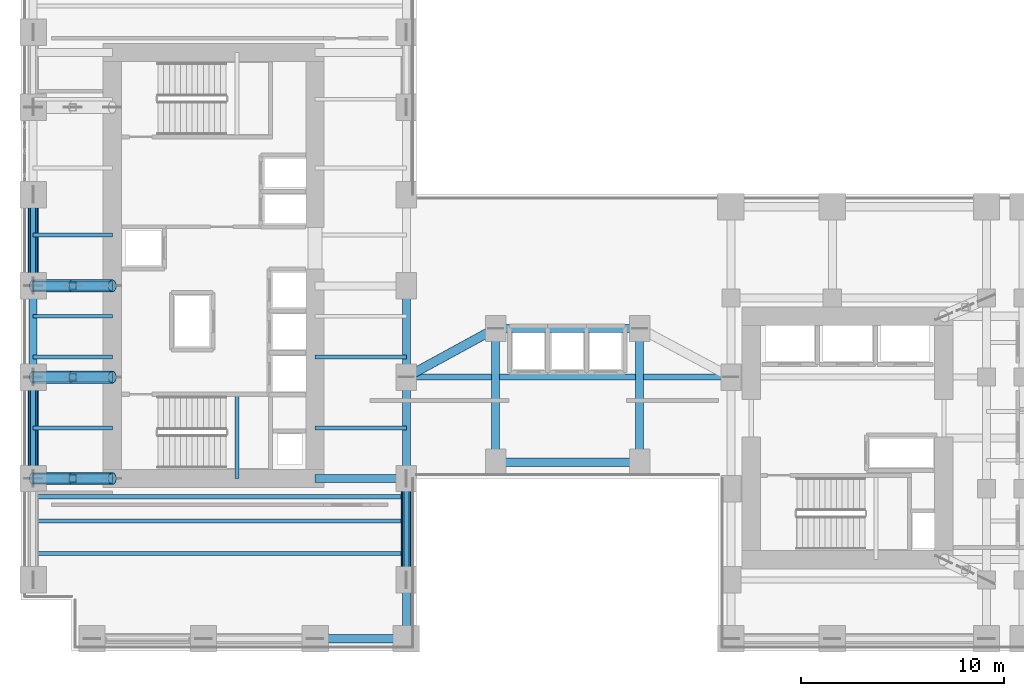
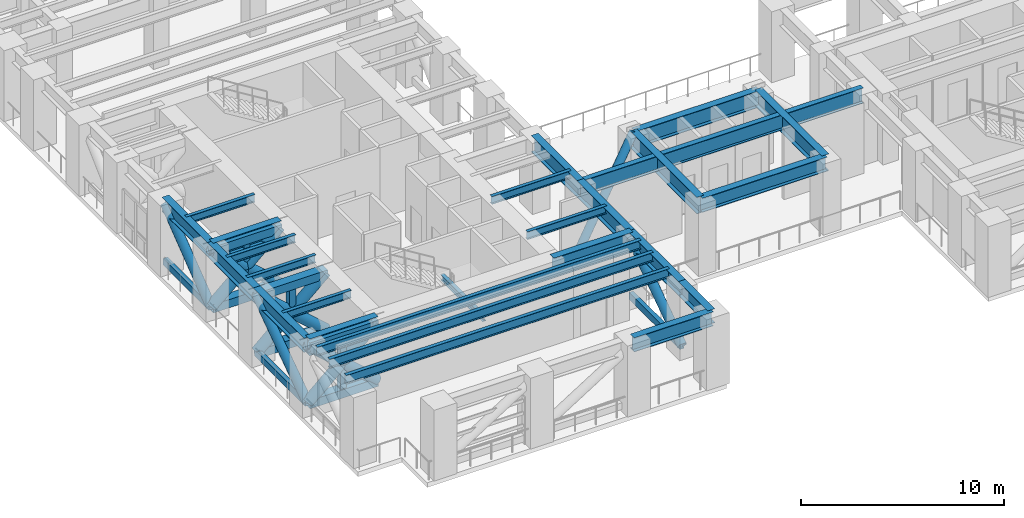
# One storey, part 3 of 16: 26 beams, 25 members.
"""IFC4 building model written with IfcOpenShell, lengths in metres."""

import ifcopenshell
import ifcopenshell.guid

model = None  # the IFC model being written
_history = None  # IfcOwnerHistory: only IFC2X3 demands one
_inside = {}  # id of a spatial element -> (the spatial element, [elements in it])
_under = {}  # id of a project, library or spatial element -> (it, [spatial elements below it])
_declared = {}  # id of a project -> (the project, [libraries it declares])
_typed = {}  # id of a type object -> (the type object, [elements of that type])
_made_of = {}  # id of a material, layer set ... -> (it, [elements and type objects made of it])


def new_model(schema):
    """Start an empty IFC model of exactly this schema.

    Asked for "IFC4X3", IfcOpenShell would pick the latest addendum, in which some entities
    have other attributes; the version numbers below select the first issue.
    IFC2X3 requires an IfcOwnerHistory on every rooted entity: one is made here for all.
    """
    global model, _history
    if schema == "IFC4X3":
        model = ifcopenshell.file(schema_version=(4, 3, 0, 0))
    else:
        model = ifcopenshell.file(schema=schema)
    _inside.clear()
    _under.clear()
    _declared.clear()
    _typed.clear()
    _made_of.clear()
    _history = None
    if model.schema == "IFC2X3":
        org = make("IfcOrganization", Name="unknown")
        user = make(
            "IfcPersonAndOrganization",
            ThePerson=make("IfcPerson", FamilyName="unknown"),
            TheOrganization=org,
        )
        app = make(
            "IfcApplication",
            ApplicationDeveloper=org,
            Version="unknown",
            ApplicationFullName="unknown",
            ApplicationIdentifier="unknown",
        )
        _history = make(
            "IfcOwnerHistory",
            OwningUser=user,
            OwningApplication=app,
            ChangeAction="ADDED",
            CreationDate=0,
        )
    return model


def make(cls, **values):
    """One entity of the class cls with the attributes given. An attribute that is None is left unset."""
    return model.create_entity(
        cls, **{name: value for name, value in values.items() if value is not None}
    )


def rooted(cls, **values):
    """An entity with a GlobalId (a new one), such as an element, a storey or a relation."""
    return make(cls, GlobalId=ifcopenshell.guid.new(), OwnerHistory=_history, **values)


def si_unit(unit_type, name, prefix=None):
    """IfcSIUnit, for example si_unit("LENGTHUNIT", "METRE", prefix="MILLI")."""
    return make("IfcSIUnit", UnitType=unit_type, Prefix=prefix, Name=name)


def assignment(units):
    """IfcUnitAssignment: the units of a project."""
    return None if units is None else make("IfcUnitAssignment", Units=units)


def point(xyz):
    """IfcCartesianPoint."""
    return None if xyz is None else make("IfcCartesianPoint", Coordinates=xyz)


def direction(xyz):
    """IfcDirection."""
    return None if xyz is None else make("IfcDirection", DirectionRatios=xyz)


def frame(location, z_axis=None, x_axis=None):
    """IfcAxis2Placement3D, a coordinate frame: its origin and axes. An axis left out is left unset."""
    return make(
        "IfcAxis2Placement3D",
        Location=point(location),
        Axis=direction(z_axis),
        RefDirection=direction(x_axis),
    )


def frame_2d(location, x_axis=None):
    """IfcAxis2Placement2D, a coordinate frame in the plane: its origin and x axis."""
    return make(
        "IfcAxis2Placement2D", Location=point(location), RefDirection=direction(x_axis)
    )


def origin():
    """The frame at (0, 0, 0) with its axes left unset."""
    return frame((0.0, 0.0, 0.0))


def origin_2d():
    """The frame at (0, 0) in the plane with its x axis left unset."""
    return frame_2d((0.0, 0.0))


def place(relative_to, where):
    """IfcLocalPlacement: puts the frame where relative to a parent placement (None: the world)."""
    return make(
        "IfcLocalPlacement", PlacementRelTo=relative_to, RelativePlacement=where
    )


def context(
    kind, dimensions, precision=None, world=None, true_north=None, identifier=None
):
    """IfcGeometricRepresentationContext, for example the 3D "Model" context."""
    return make(
        "IfcGeometricRepresentationContext",
        ContextIdentifier=identifier,
        ContextType=kind,
        CoordinateSpaceDimension=dimensions,
        Precision=precision,
        WorldCoordinateSystem=world,
        TrueNorth=true_north,
    )


def subcontext(parent, identifier, kind, view, scale=None):
    """IfcGeometricRepresentationSubContext, for example "Body" below "Model"."""
    return make(
        "IfcGeometricRepresentationSubContext",
        ContextIdentifier=identifier,
        ContextType=kind,
        ParentContext=parent,
        TargetScale=scale,
        TargetView=view,
    )


def project(units=None, contexts=None):
    """IfcProject with its units and contexts."""
    return rooted(
        "IfcProject",
        Name="project",
        RepresentationContexts=contexts,
        UnitsInContext=assignment(units),
    )


def spatial(cls, under=None, at=None, **own):
    """A site, building, storey or space (cls), placed at a placement, below another one or the project."""
    s = rooted(cls, ObjectPlacement=at, **own)
    if under is not None:
        _under.setdefault(under.id(), (under, []))[1].append(s)
    return s


def profile(cls, at=None, kind="AREA", **sizes):
    """A parametric profile (cls). Its sizes go by their IFC names, for example OverallWidth=200.0."""
    return make(cls, ProfileType=kind, Position=at, **sizes)


def hollow_rectangle(**sizes):
    """IfcRectangleHollowProfileDef."""
    return profile("IfcRectangleHollowProfileDef", **sizes)


def hollow_circle(**sizes):
    """IfcCircleHollowProfileDef."""
    return profile("IfcCircleHollowProfileDef", **sizes)


def i_section(**sizes):
    """IfcIShapeProfileDef."""
    return profile("IfcIShapeProfileDef", **sizes)


def extrude(swept, where, along, depth):
    """IfcExtrudedAreaSolid: the profile swept, set in the frame where, extruded along a direction by depth."""
    return make(
        "IfcExtrudedAreaSolid",
        SweptArea=swept,
        Position=where,
        ExtrudedDirection=direction(along),
        Depth=depth,
    )


def shape(context_of_items, identifier, shape_type, items):
    """IfcShapeRepresentation: the items that make up one representation, for example the "Body"."""
    return make(
        "IfcShapeRepresentation",
        ContextOfItems=context_of_items,
        RepresentationIdentifier=identifier,
        RepresentationType=shape_type,
        Items=items,
    )


def source(mapping_origin, context_of_items, identifier, shape_type, items):
    """IfcRepresentationMap: a shape defined once, which mapped items show again and again."""
    return make(
        "IfcRepresentationMap",
        MappingOrigin=mapping_origin,
        MappedRepresentation=shape(context_of_items, identifier, shape_type, items),
    )


def transform(
    local_origin,
    x_axis=None,
    y_axis=None,
    z_axis=None,
    scale=None,
    scale2=None,
    scale3=None,
    uniform=True,
):
    """IfcCartesianTransformationOperator3D, or its non-uniform kind. x_axis, y_axis, z_axis: its Axis1, 2, 3."""
    if uniform:
        return make(
            "IfcCartesianTransformationOperator3D",
            Axis1=direction(x_axis),
            Axis2=direction(y_axis),
            LocalOrigin=point(local_origin),
            Scale=scale,
            Axis3=direction(z_axis),
        )
    return make(
        "IfcCartesianTransformationOperator3DnonUniform",
        Axis1=direction(x_axis),
        Axis2=direction(y_axis),
        LocalOrigin=point(local_origin),
        Scale=scale,
        Axis3=direction(z_axis),
        Scale2=scale2,
        Scale3=scale3,
    )


def mapped(mapping_source, mapping_target):
    """IfcMappedItem: shows the shape of a source again, moved by a transform."""
    return make(
        "IfcMappedItem", MappingSource=mapping_source, MappingTarget=mapping_target
    )


def material(Name=None, Category=None):
    """IfcMaterial."""
    return make("IfcMaterial", Name=Name, Category=Category)


def material_profile(
    of_material, cross_section, Name=None, Category=None, Priority=None
):
    """IfcMaterialProfile: a cross section and its material."""
    return make(
        "IfcMaterialProfile",
        Name=Name,
        Material=of_material,
        Profile=cross_section,
        Priority=Priority,
        Category=Category,
    )


def profile_set(profiles, Name=None, composite=None):
    """IfcMaterialProfileSet."""
    return make(
        "IfcMaterialProfileSet",
        Name=Name,
        MaterialProfiles=profiles,
        CompositeProfile=composite,
    )


def made_of(thing, what):
    """Note that an element or type object is made of a material, layer set ...; save() writes the relation."""
    if what is not None:
        _made_of.setdefault(what.id(), (what, []))[1].append(thing)
    return thing


def type_object(cls, material=None, **own):
    """A type object (cls), such as IfcWallType, which elements share."""
    return made_of(rooted(cls, **own), material)


def element(
    cls,
    number,
    at=None,
    inside=None,
    cuts=None,
    type_object=None,
    material=None,
    context=None,
    identifier="Body",
    shape_type=None,
    held_by="IfcProductDefinitionShape",
    body=None,
    shapes=None,
    **own,
):
    """One element of the class cls, such as IfcWall. Its Tag is "e" and its number.

    at: its placement. inside: the storey or other place that contains it. cuts: it is an
    opening in that element (IfcRelVoidsElement). A single representation is given by context,
    identifier, shape_type and body (its items); several are given by shapes. held_by: the class
    of the entity that holds the representations. save() writes the other relations.
    """
    e = rooted(cls, Tag="e%d" % number, ObjectPlacement=at, **own)
    if body is not None:
        shapes = [shape(context, identifier, shape_type, body)]
    if shapes is not None:
        e.Representation = make(held_by, Representations=shapes)
    if inside is not None:
        _inside.setdefault(inside.id(), (inside, []))[1].append(e)
    if cuts is not None:
        rooted(
            "IfcRelVoidsElement", RelatingBuildingElement=cuts, RelatedOpeningElement=e
        )
    if type_object is not None:
        _typed.setdefault(type_object.id(), (type_object, []))[1].append(e)
    return made_of(e, material)


def aggregate(whole, parts):
    """IfcRelAggregates: a whole, such as a stair, and the parts it consists of."""
    return rooted("IfcRelAggregates", RelatingObject=whole, RelatedObjects=parts)


def save(model, path):
    """Write the relations noted so far, then the file.

    IfcRelAggregates (storeys below a building ...), IfcRelContainedInSpatialStructure (elements
    in a storey), IfcRelDefinesByType, IfcRelAssociatesMaterial and IfcRelDeclares: one each for
    every whole, place, type object, material and project.
    """
    for whole, parts in _under.values():
        aggregate(whole, parts)
    for where, things in _inside.values():
        rooted(
            "IfcRelContainedInSpatialStructure",
            RelatedElements=things,
            RelatingStructure=where,
        )
    for kind, things in _typed.values():
        rooted("IfcRelDefinesByType", RelatedObjects=things, RelatingType=kind)
    for what, things in _made_of.values():
        rooted("IfcRelAssociatesMaterial", RelatedObjects=things, RelatingMaterial=what)
    for by, libraries in _declared.values():
        rooted("IfcRelDeclares", RelatingContext=by, RelatedDefinitions=libraries)
    model.write(path)


model = new_model("IFC4")

# Units and contexts
model_context = context("Model", 3, precision=1e-05, world=origin(), true_north=direction((0.0, 1.0)))
body_context = subcontext(model_context, "Body", "Model", "MODEL_VIEW")
ifc_project = project(units=[si_unit("LENGTHUNIT", "METRE"), si_unit("AREAUNIT", "SQUARE_METRE"), si_unit("VOLUMEUNIT", "CUBIC_METRE"), si_unit("PLANEANGLEUNIT", "RADIAN"), si_unit("MASSUNIT", "GRAM", prefix="KILO")], contexts=[model_context])

# Site, building, storey
site_placement = place(None, origin())
site = spatial("IfcSite", under=ifc_project, at=site_placement, CompositionType="ELEMENT")
building_placement = place(site_placement, origin())
building = spatial("IfcBuilding", under=site, at=building_placement, Name="Kharzan Plaza Tower", CompositionType="ELEMENT")
storey_placement = place(building_placement, frame((0.0, 0.0, 72.89990234375)))
storey = spatial("IfcBuildingStorey", under=building, at=storey_placement, Name="L19", CompositionType="ELEMENT", Elevation=72.89990234375)

# Beams
ifc_material = material(Name="Steel S355", Category="steel")
ifc_material_profile_1 = material_profile(ifc_material, i_section(OverallWidth=0.205078125, OverallDepth=0.35400390625, WebThickness=0.009521484375, FlangeThickness=0.016845703125, at=origin_2d()), Name="W360x79")
ifc_profile_set_1 = profile_set([ifc_material_profile_1], Name="Steel S355")
beam_type_1 = type_object("IfcBeamType", Name="BM-LNT360", PredefinedType="LINTEL", material=ifc_profile_set_1)
shared_shape_1 = source(origin(), body_context, "Body", "SweptSolid", [
    extrude(i_section(OverallWidth=0.205078125, OverallDepth=0.35400390625, WebThickness=0.009521484375, FlangeThickness=0.016845703125, at=origin_2d()), origin(), (0.0, 0.0, 1.0), 4.155029296875),
])
beam_1_placement = place(storey_placement, frame((10.64990234375, 8.5, 1.873046875), z_axis=(0.0, 1.0, 0.0), x_axis=(-1.0, 0.0, 0.0)))
element("IfcBeam", 1, at=beam_1_placement, inside=storey, type_object=beam_type_1, Name="L19 Stair ST-1 Half-Landing Beam", PredefinedType="LINTEL", context=body_context, shape_type="MappedRepresentation", body=[
    mapped(shared_shape_1, transform((0.0, 0.0, 0.0), x_axis=(1.0, 0.0, 0.0), y_axis=(0.0, 1.0, 0.0), z_axis=(0.0, 0.0, 1.0))),
])
ifc_material_profile_2 = material_profile(ifc_material, i_section(OverallWidth=0.304931640625, OverallDepth=0.9189453125, WebThickness=0.017333984375, FlangeThickness=0.02783203125, at=origin_2d()), Name="W920x253")
ifc_profile_set_2 = profile_set([ifc_material_profile_2], Name="Steel S355")
beam_type_2 = type_object("IfcBeamType", Name="BM-FG920B", PredefinedType="BEAM", material=ifc_profile_set_2)
shared_shape_2 = source(origin(), body_context, "Body", "SweptSolid", [
    extrude(i_section(OverallWidth=0.304931640625, OverallDepth=0.9189453125, WebThickness=0.017333984375, FlangeThickness=0.02783203125, at=origin_2d()), origin(), (0.0, 0.0, 1.0), 16.0),
])
beam_2_placement = place(storey_placement, frame((19.0, 13.5, 3.800537109375), z_axis=(1.0, 0.0, 0.0), x_axis=(0.0, 1.0, 0.0)))
element("IfcBeam", 2, at=beam_2_placement, inside=storey, type_object=beam_type_2, Name="L19 Primary Floor Girder", PredefinedType="BEAM", context=body_context, shape_type="MappedRepresentation", body=[
    mapped(shared_shape_2, transform((0.0, 0.0, 0.0), x_axis=(1.0, 0.0, 0.0), y_axis=(0.0, 1.0, 0.0), z_axis=(0.0, 0.0, 1.0))),
])
ifc_material_profile_3 = material_profile(ifc_material, i_section(OverallWidth=0.2099609375, OverallDepth=0.537109375, WebThickness=0.010986328125, FlangeThickness=0.017333984375, at=origin_2d()), Name="W530x101")
ifc_profile_set_3 = profile_set([ifc_material_profile_3], Name="Steel S355")
beam_type_3 = type_object("IfcBeamType", Name="BM-JST530B", PredefinedType="JOIST", material=ifc_profile_set_3)
shared_shape_3 = source(origin(), body_context, "Body", "SweptSolid", [
    extrude(i_section(OverallWidth=0.2099609375, OverallDepth=0.537109375, WebThickness=0.010986328125, FlangeThickness=0.017333984375, at=origin_2d()), origin(), (0.0, 0.0, 1.0), 18.39990234375),
])
for number, where, z_axis, x_axis, name in (
    (3, (0.60009765625, 4.800048828125, 3.99169921875), (1.0, 0.0, 0.0), (0.0, 1.0, 0.0), "L19 Wing A Composite Joist 01"),
    (4, (0.60009765625, 6.39990234375, 3.99169921875), (1.0, 0.0, 0.0), (0.0, 1.0, 0.0), "L19 Wing A Composite Joist 02"),
    (5, (0.60009765625, 7.60009765625, 3.99169921875), (1.0, 0.0, 0.0), (0.0, 1.0, 0.0), "L19 Wing A Composite Joist 03"),
):
    element("IfcBeam", number, at=place(storey_placement, frame(where, z_axis=z_axis, x_axis=x_axis)), inside=storey, type_object=beam_type_3, Name=name, PredefinedType="JOIST", context=body_context, shape_type="MappedRepresentation", body=[
        mapped(shared_shape_3, transform((0.0, 0.0, 0.0), x_axis=(1.0, 0.0, 0.0), y_axis=(0.0, 1.0, 0.0), z_axis=(0.0, 0.0, 1.0))),
    ])
ifc_material_profile_4 = material_profile(ifc_material, i_section(OverallWidth=0.194091796875, OverallDepth=0.468994140625, WebThickness=0.011474609375, FlangeThickness=0.0205078125, at=origin_2d()), Name="W460x106")
ifc_profile_set_4 = profile_set([ifc_material_profile_4], Name="Steel S355")
beam_type_4 = type_object("IfcBeamType", Name="BM-JST460", PredefinedType="JOIST", material=ifc_profile_set_4)
shared_shape_4 = source(origin(), body_context, "Body", "SweptSolid", [
    extrude(i_section(OverallWidth=0.194091796875, OverallDepth=0.468994140625, WebThickness=0.011474609375, FlangeThickness=0.0205078125, at=origin_2d()), origin(), (0.0, 0.0, 1.0), 4.5),
])
for number, where, z_axis, x_axis, name in (
    (6, (14.5, 11.0, 4.025634765625), (1.0, 0.0, 0.0), (0.0, 1.0, 0.0), "L19 Wing A East Infill Joist 1"),
    (7, (14.5, 14.5, 4.025634765625), (1.0, 0.0, 0.0), (0.0, 1.0, 0.0), "L19 Wing A East Infill Joist 2"),
):
    element("IfcBeam", number, at=place(storey_placement, frame(where, z_axis=z_axis, x_axis=x_axis)), inside=storey, type_object=beam_type_4, Name=name, PredefinedType="JOIST", context=body_context, shape_type="MappedRepresentation", body=[
        mapped(shared_shape_4, transform((0.0, 0.0, 0.0), x_axis=(1.0, 0.0, 0.0), y_axis=(0.0, 1.0, 0.0), z_axis=(0.0, 0.0, 1.0))),
    ])
shared_shape_5 = source(origin(), body_context, "Body", "SweptSolid", [
    extrude(i_section(OverallWidth=0.194091796875, OverallDepth=0.468994140625, WebThickness=0.011474609375, FlangeThickness=0.0205078125, at=origin_2d()), origin(), (0.0, 0.0, 1.0), 3.89990234375),
])
for number, where, z_axis, x_axis, name in (
    (8, (0.60009765625, 11.0, 4.025634765625), (1.0, 0.0, 0.0), (0.0, 1.0, 0.0), "L19 Wing A West Infill Joist 1"),
    (9, (0.60009765625, 14.5, 4.025634765625), (1.0, 0.0, 0.0), (0.0, 1.0, 0.0), "L19 Wing A West Infill Joist 2"),
    (10, (0.60009765625, 16.5, 4.025634765625), (1.0, 0.0, 0.0), (0.0, 1.0, 0.0), "L19 Wing A West Infill Joist 3"),
    (11, (0.60009765625, 20.5, 4.025634765625), (1.0, 0.0, 0.0), (0.0, 1.0, 0.0), "L19 Wing A West Infill Joist 4"),
):
    element("IfcBeam", number, at=place(storey_placement, frame(where, z_axis=z_axis, x_axis=x_axis)), inside=storey, type_object=beam_type_4, Name=name, PredefinedType="JOIST", context=body_context, shape_type="MappedRepresentation", body=[
        mapped(shared_shape_5, transform((0.0, 0.0, 0.0), x_axis=(1.0, 0.0, 0.0), y_axis=(0.0, 1.0, 0.0), z_axis=(0.0, 0.0, 1.0))),
    ])
ifc_material_profile_5 = material_profile(ifc_material, i_section(OverallWidth=0.40087890625, OverallDepth=0.85498046875, WebThickness=0.018310546875, FlangeThickness=0.029296875, at=origin_2d()), Name="W840x299")
ifc_profile_set_5 = profile_set([ifc_material_profile_5], Name="Steel S355")
beam_type_5 = type_object("IfcBeamType", Name="BM-SP840A", PredefinedType="SPANDREL", material=ifc_profile_set_5)
shared_shape_6 = source(origin(), body_context, "Body", "SweptSolid", [
    extrude(i_section(OverallWidth=0.40087890625, OverallDepth=0.85498046875, WebThickness=0.018310546875, FlangeThickness=0.029296875, at=origin_2d()), origin(), (0.0, 0.0, 1.0), 5.0),
])
for number, where, z_axis, x_axis, name in (
    (12, (0.60009765625, 8.5, 3.83251953125), (0.0, 1.0, 0.0), (-1.0, 0.0, 0.0), "L19 Perimeter Tube Spandrel"),
    (13, (19.0, 3.5, 3.83251953125), (0.0, 1.0, 0.0), (-1.0, 0.0, 0.0), "L19 Perimeter Tube Spandrel"),
):
    element("IfcBeam", number, at=place(storey_placement, frame(where, z_axis=z_axis, x_axis=x_axis)), inside=storey, type_object=beam_type_5, Name=name, PredefinedType="SPANDREL", context=body_context, shape_type="MappedRepresentation", body=[
        mapped(shared_shape_6, transform((0.0, 0.0, 0.0), x_axis=(1.0, 0.0, 0.0), y_axis=(0.0, 1.0, 0.0), z_axis=(0.0, 0.0, 1.0))),
    ])
shared_shape_7 = source(origin(), body_context, "Body", "SweptSolid", [
    extrude(i_section(OverallWidth=0.40087890625, OverallDepth=0.85498046875, WebThickness=0.018310546875, FlangeThickness=0.029296875, at=origin_2d()), origin(), (0.0, 0.0, 1.0), 4.5),
])
for number, where, z_axis, x_axis, name in (
    (14, (0.60009765625, 13.5, 3.83251953125), (0.0, 1.0, 0.0), (-1.0, 0.0, 0.0), "L19 Perimeter Tube Spandrel"),
    (15, (0.60009765625, 18.0, 3.83251953125), (0.0, 1.0, 0.0), (-1.0, 0.0, 0.0), "L19 Perimeter Tube Spandrel"),
    (16, (14.5, 0.60009765625, 3.83251953125), (1.0, 0.0, 0.0), (0.0, 1.0, 0.0), "L19 Perimeter Tube Spandrel"),
):
    element("IfcBeam", number, at=place(storey_placement, frame(where, z_axis=z_axis, x_axis=x_axis)), inside=storey, type_object=beam_type_5, Name=name, PredefinedType="SPANDREL", context=body_context, shape_type="MappedRepresentation", body=[
        mapped(shared_shape_7, transform((0.0, 0.0, 0.0), x_axis=(1.0, 0.0, 0.0), y_axis=(0.0, 1.0, 0.0), z_axis=(0.0, 0.0, 1.0))),
    ])
shared_shape_8 = source(origin(), body_context, "Body", "SweptSolid", [
    extrude(i_section(OverallWidth=0.40087890625, OverallDepth=0.85498046875, WebThickness=0.018310546875, FlangeThickness=0.029296875, at=origin_2d()), origin(), (0.0, 0.0, 1.0), 2.89990234375),
])
beam_3_placement = place(storey_placement, frame((19.0, 0.60009765625, 3.83251953125), z_axis=(0.0, 1.0, 0.0), x_axis=(-1.0, 0.0, 0.0)))
element("IfcBeam", 17, at=beam_3_placement, inside=storey, type_object=beam_type_5, Name="L19 Perimeter Tube Spandrel", PredefinedType="SPANDREL", context=body_context, shape_type="MappedRepresentation", body=[
    mapped(shared_shape_8, transform((0.0, 0.0, 0.0), x_axis=(1.0, 0.0, 0.0), y_axis=(0.0, 1.0, 0.0), z_axis=(0.0, 0.0, 1.0))),
])
shared_shape_9 = source(origin(), body_context, "Body", "SweptSolid", [
    extrude(i_section(OverallWidth=0.40087890625, OverallDepth=0.85498046875, WebThickness=0.018310546875, FlangeThickness=0.029296875, at=origin_2d()), origin(), (0.0, 0.0, 1.0), 7.10009765625),
])
beam_4_placement = place(storey_placement, frame((23.39990234375, 9.300048828125, 3.83251953125), z_axis=(1.0, 0.0, 0.0), x_axis=(0.0, 1.0, 0.0)))
element("IfcBeam", 18, at=beam_4_placement, inside=storey, type_object=beam_type_5, Name="L19 Perimeter Tube Spandrel", PredefinedType="SPANDREL", context=body_context, shape_type="MappedRepresentation", body=[
    mapped(shared_shape_9, transform((0.0, 0.0, 0.0), x_axis=(1.0, 0.0, 0.0), y_axis=(0.0, 1.0, 0.0), z_axis=(0.0, 0.0, 1.0))),
])
ifc_material_profile_6 = material_profile(ifc_material, i_section(OverallWidth=0.39794921875, OverallDepth=1.0, WebThickness=0.017578125, FlangeThickness=0.02880859375, at=origin_2d()), Name="W1000x321")
ifc_profile_set_6 = profile_set([ifc_material_profile_6], Name="Steel S355")
beam_type_6 = type_object("IfcBeamType", Name="BM-PG1000B", PredefinedType="BEAM", material=ifc_profile_set_6)
shared_shape_10 = source(origin(), body_context, "Body", "SweptSolid", [
    extrude(i_section(OverallWidth=0.39794921875, OverallDepth=1.0, WebThickness=0.017578125, FlangeThickness=0.02880859375, at=origin_2d()), origin(), (0.0, 0.0, 1.0), 4.5),
])
for number, where, z_axis, x_axis, name in (
    (19, (14.5, 8.5, 3.760009765625), (1.0, 0.0, 0.0), (0.0, 1.0, 0.0), "L19 Core-A East Floor Girder 1"),
    (20, (19.0, 13.5, 3.760009765625), (0.0, 1.0, 0.0), (-1.0, 0.0, 0.0), "L19 Interior Frame Girder"),
):
    element("IfcBeam", number, at=place(storey_placement, frame(where, z_axis=z_axis, x_axis=x_axis)), inside=storey, type_object=beam_type_6, Name=name, PredefinedType="BEAM", context=body_context, shape_type="MappedRepresentation", body=[
        mapped(shared_shape_10, transform((0.0, 0.0, 0.0), x_axis=(1.0, 0.0, 0.0), y_axis=(0.0, 1.0, 0.0), z_axis=(0.0, 0.0, 1.0))),
    ])
shared_shape_11 = source(origin(), body_context, "Body", "SweptSolid", [
    extrude(i_section(OverallWidth=0.39794921875, OverallDepth=1.0, WebThickness=0.017578125, FlangeThickness=0.02880859375, at=origin_2d()), origin(), (0.0, 0.0, 1.0), 3.89990234375),
])
for number, where, z_axis, x_axis, name in (
    (21, (0.60009765625, 8.5, 3.760009765625), (1.0, 0.0, 0.0), (0.0, 1.0, 0.0), "L19 Core-A West Floor Girder 1"),
    (22, (0.60009765625, 18.0, 3.760009765625), (1.0, 0.0, 0.0), (0.0, 1.0, 0.0), "L19 Core-A West Floor Girder 2"),
):
    element("IfcBeam", number, at=place(storey_placement, frame(where, z_axis=z_axis, x_axis=x_axis)), inside=storey, type_object=beam_type_6, Name=name, PredefinedType="BEAM", context=body_context, shape_type="MappedRepresentation", body=[
        mapped(shared_shape_11, transform((0.0, 0.0, 0.0), x_axis=(1.0, 0.0, 0.0), y_axis=(0.0, 1.0, 0.0), z_axis=(0.0, 0.0, 1.0))),
    ])
shared_shape_12 = source(origin(), body_context, "Body", "SweptSolid", [
    extrude(i_section(OverallWidth=0.39794921875, OverallDepth=1.0, WebThickness=0.017578125, FlangeThickness=0.02880859375, at=origin_2d()), origin(), (0.0, 0.0, 1.0), 5.0),
])
beam_5_placement = place(storey_placement, frame((19.0, 8.5, 3.760009765625), z_axis=(0.0, 1.0, 0.0), x_axis=(-1.0, 0.0, 0.0)))
element("IfcBeam", 23, at=beam_5_placement, inside=storey, type_object=beam_type_6, Name="L19 Interior Frame Girder", PredefinedType="BEAM", context=body_context, shape_type="MappedRepresentation", body=[
    mapped(shared_shape_12, transform((0.0, 0.0, 0.0), x_axis=(1.0, 0.0, 0.0), y_axis=(0.0, 1.0, 0.0), z_axis=(0.0, 0.0, 1.0))),
])
shared_shape_13 = source(origin(), body_context, "Body", "SweptSolid", [
    extrude(i_section(OverallWidth=0.39794921875, OverallDepth=1.0, WebThickness=0.017578125, FlangeThickness=0.02880859375, at=origin_2d()), origin(), (0.0, 0.0, 1.0), 6.599853515625),
])
for number, where, z_axis, x_axis, name in (
    (24, (23.39990234375, 9.300048828125, 3.760009765625), (0.0, 1.0, 0.0), (-1.0, 0.0, 0.0), "L19 Interior Frame Girder"),
    (25, (30.5, 9.300048828125, 3.760009765625), (0.0, 1.0, 0.0), (-1.0, 0.0, 0.0), "L19 Interior Frame Girder"),
):
    element("IfcBeam", number, at=place(storey_placement, frame(where, z_axis=z_axis, x_axis=x_axis)), inside=storey, type_object=beam_type_6, Name=name, PredefinedType="BEAM", context=body_context, shape_type="MappedRepresentation", body=[
        mapped(shared_shape_13, transform((0.0, 0.0, 0.0), x_axis=(1.0, 0.0, 0.0), y_axis=(0.0, 1.0, 0.0), z_axis=(0.0, 0.0, 1.0))),
    ])
shared_shape_14 = source(origin(), body_context, "Body", "SweptSolid", [
    extrude(i_section(OverallWidth=0.39794921875, OverallDepth=1.0, WebThickness=0.017578125, FlangeThickness=0.02880859375, at=origin_2d()), origin(), (0.0, 0.0, 1.0), 7.10009765625),
])
beam_6_placement = place(storey_placement, frame((23.39990234375, 15.89990234375, 3.760009765625), z_axis=(1.0, 0.0, 0.0), x_axis=(0.0, 1.0, 0.0)))
element("IfcBeam", 26, at=beam_6_placement, inside=storey, type_object=beam_type_6, Name="L19 Primary Floor Girder", PredefinedType="BEAM", context=body_context, shape_type="MappedRepresentation", body=[
    mapped(shared_shape_14, transform((0.0, 0.0, 0.0), x_axis=(1.0, 0.0, 0.0), y_axis=(0.0, 1.0, 0.0), z_axis=(0.0, 0.0, 1.0))),
])

# Members
ifc_material_profile_7 = material_profile(ifc_material, hollow_rectangle(XDim=0.25, YDim=0.39990234375, WallThickness=0.01611328125, at=origin_2d()), Name="RHS400x250x16")
ifc_profile_set_7 = profile_set([ifc_material_profile_7], Name="Steel S355")
member_type_1 = type_object("IfcMemberType", Name="MEM-BT-CHORD", PredefinedType="CHORD", material=ifc_profile_set_7)
shared_shape_15 = source(origin(), body_context, "Body", "SweptSolid", [
    extrude(hollow_rectangle(XDim=0.25, YDim=0.39990234375, WallThickness=0.01611328125, at=origin_2d()), origin(), (0.0, 0.0, 1.0), 5.0),
])
for number, where, z_axis, x_axis, name in (
    (27, (19.0, 3.5, 0.35009765625), (0.0, 1.0, 0.0), (-1.0, 0.0, 0.0), "L19 Belt Truss Bottom Chord BTA-1"),
    (28, (0.60009765625, 8.5, 0.35009765625), (0.0, 1.0, 0.0), (-1.0, 0.0, 0.0), "L19 Belt Truss Bottom Chord BTW-2"),
):
    element("IfcMember", number, at=place(storey_placement, frame(where, z_axis=z_axis, x_axis=x_axis)), inside=storey, type_object=member_type_1, Name=name, PredefinedType="CHORD", context=body_context, shape_type="MappedRepresentation", body=[
        mapped(shared_shape_15, transform((0.0, 0.0, 0.0), x_axis=(1.0, 0.0, 0.0), y_axis=(0.0, 1.0, 0.0), z_axis=(0.0, 0.0, 1.0))),
    ])
shared_shape_16 = source(origin(), body_context, "Body", "SweptSolid", [
    extrude(hollow_rectangle(XDim=0.25, YDim=0.39990234375, WallThickness=0.01611328125, at=origin_2d()), origin(), (0.0, 0.0, 1.0), 4.5),
])
member_1_placement = place(storey_placement, frame((0.60009765625, 18.0, 0.35009765625), z_axis=(0.0, 1.0, 0.0), x_axis=(-1.0, 0.0, 0.0)))
element("IfcMember", 29, at=member_1_placement, inside=storey, type_object=member_type_1, Name="L19 Belt Truss Bottom Chord BTW-3", PredefinedType="CHORD", context=body_context, shape_type="MappedRepresentation", body=[
    mapped(shared_shape_16, transform((0.0, 0.0, 0.0), x_axis=(1.0, 0.0, 0.0), y_axis=(0.0, 1.0, 0.0), z_axis=(0.0, 0.0, 1.0))),
])
ifc_material_profile_8 = material_profile(ifc_material, hollow_circle(Radius=0.25390625, WallThickness=0.02001953125, at=origin_2d()), Name="CHS508x20")
ifc_profile_set_8 = profile_set([ifc_material_profile_8], Name="Steel S355")
member_type_2 = type_object("IfcMemberType", Name="MEM-BT-DIAG", PredefinedType="BRACE", material=ifc_profile_set_8)
shared_shape_17 = source(origin(), body_context, "Body", "SweptSolid", [
    extrude(hollow_circle(Radius=0.25390625, WallThickness=0.02001953125, at=origin_2d()), origin(), (0.0, 0.0, 1.0), 6.080322265625),
])
for number, where, z_axis, x_axis, name in (
    (30, (19.0, 3.5, 0.35009765625), (0.0, 0.822313592679, 0.569034581809), (-1.0, 0.0, 0.0), "L19 Belt Truss Diagonal BTA-1"),
    (31, (0.60009765625, 8.5, 0.35009765625), (0.0, 0.822313592679, 0.569034581809), (-1.0, 0.0, 0.0), "L19 Belt Truss Diagonal BTW-2"),
):
    element("IfcMember", number, at=place(storey_placement, frame(where, z_axis=z_axis, x_axis=x_axis)), inside=storey, type_object=member_type_2, Name=name, PredefinedType="BRACE", context=body_context, shape_type="MappedRepresentation", body=[
        mapped(shared_shape_17, transform((0.0, 0.0, 0.0), x_axis=(1.0, 0.0, 0.0), y_axis=(0.0, 1.0, 0.0), z_axis=(0.0, 0.0, 1.0))),
    ])
shared_shape_18 = source(origin(), body_context, "Body", "SweptSolid", [
    extrude(hollow_circle(Radius=0.25390625, WallThickness=0.02001953125, at=origin_2d()), origin(), (0.0, 0.0, 1.0), 5.67626953125),
])
member_2_placement = place(storey_placement, frame((0.60009765625, 18.0, 0.35009765625), z_axis=(0.0, 0.792758275848, 0.609536148292), x_axis=(-1.0, 0.0, 0.0)))
element("IfcMember", 32, at=member_2_placement, inside=storey, type_object=member_type_2, Name="L19 Belt Truss Diagonal BTW-3", PredefinedType="BRACE", context=body_context, shape_type="MappedRepresentation", body=[
    mapped(shared_shape_18, transform((0.0, 0.0, 0.0), x_axis=(1.0, 0.0, 0.0), y_axis=(0.0, 1.0, 0.0), z_axis=(0.0, 0.0, 1.0))),
])
ifc_material_profile_9 = material_profile(ifc_material, hollow_rectangle(XDim=0.5, YDim=0.5, WallThickness=0.02490234375, at=origin_2d()), Name="SHS500x500x25")
ifc_profile_set_9 = profile_set([ifc_material_profile_9], Name="Steel S355")
member_type_3 = type_object("IfcMemberType", Name="MEM-OT-CHORD", PredefinedType="CHORD", material=ifc_profile_set_9)
shared_shape_19 = source(origin(), body_context, "Body", "SweptSolid", [
    extrude(hollow_rectangle(XDim=0.5, YDim=0.5, WallThickness=0.02490234375, at=origin_2d()), origin(), (0.0, 0.0, 1.0), 3.89990234375),
])
for number, where, z_axis, x_axis, name in (
    (33, (4.5, 18.0, 0.35009765625), (-1.0, 0.0, 0.0), (0.0, -1.0, 0.0), "L19 Outrigger Truss Bottom Chord OTA-E1"),
    (34, (4.5, 18.0, 3.81005859375), (-1.0, 0.0, 0.0), (0.0, -1.0, 0.0), "L19 Outrigger Truss Top Chord OTA-E1"),
    (35, (4.5, 8.5, 0.35009765625), (-1.0, 0.0, 0.0), (0.0, -1.0, 0.0), "L19 Outrigger Truss Bottom Chord OTA-W1"),
    (36, (4.5, 8.5, 3.81005859375), (-1.0, 0.0, 0.0), (0.0, -1.0, 0.0), "L19 Outrigger Truss Top Chord OTA-W1"),
    (37, (4.5, 13.5, 0.35009765625), (-1.0, 0.0, 0.0), (0.0, -1.0, 0.0), "L19 Outrigger Truss Bottom Chord OTA-W2"),
    (38, (4.5, 13.5, 3.81005859375), (-1.0, 0.0, 0.0), (0.0, -1.0, 0.0), "L19 Outrigger Truss Top Chord OTA-W2"),
):
    element("IfcMember", number, at=place(storey_placement, frame(where, z_axis=z_axis, x_axis=x_axis)), inside=storey, type_object=member_type_3, Name=name, PredefinedType="CHORD", context=body_context, shape_type="MappedRepresentation", body=[
        mapped(shared_shape_19, transform((0.0, 0.0, 0.0), x_axis=(1.0, 0.0, 0.0), y_axis=(0.0, 1.0, 0.0), z_axis=(0.0, 0.0, 1.0))),
    ])
ifc_material_profile_10 = material_profile(ifc_material, hollow_circle(Radius=0.304931640625, WallThickness=0.02490234375, at=origin_2d()), Name="CHS610x25")
ifc_profile_set_10 = profile_set([ifc_material_profile_10], Name="Steel S355")
member_type_4 = type_object("IfcMemberType", Name="MEM-OT-DIAG", PredefinedType="BRACE", material=ifc_profile_set_10)
shared_shape_20 = source(origin(), body_context, "Body", "SweptSolid", [
    extrude(hollow_circle(Radius=0.304931640625, WallThickness=0.02490234375, at=origin_2d()), origin(), (0.0, 0.0, 1.0), 5.21337890625),
])
for number, where, z_axis, x_axis, name in (
    (39, (4.5, 18.0, 0.35009765625), (-0.748039391484, 0.0, 0.663654329292), (0.0, -1.0, 0.0), "L19 Outrigger Truss Diagonal OTA-E1-1"),
    (40, (4.5, 8.5, 0.35009765625), (-0.748039391484, 0.0, 0.663654329292), (0.0, -1.0, 0.0), "L19 Outrigger Truss Diagonal OTA-W1-1"),
    (41, (4.5, 13.5, 0.35009765625), (-0.748039391484, 0.0, 0.663654329292), (0.0, -1.0, 0.0), "L19 Outrigger Truss Diagonal OTA-W2-1"),
):
    element("IfcMember", number, at=place(storey_placement, frame(where, z_axis=z_axis, x_axis=x_axis)), inside=storey, type_object=member_type_4, Name=name, PredefinedType="BRACE", context=body_context, shape_type="MappedRepresentation", body=[
        mapped(shared_shape_20, transform((0.0, 0.0, 0.0), x_axis=(1.0, 0.0, 0.0), y_axis=(0.0, 1.0, 0.0), z_axis=(0.0, 0.0, 1.0))),
    ])
shared_shape_21 = source(origin(), body_context, "Body", "SweptSolid", [
    extrude(hollow_circle(Radius=0.304931640625, WallThickness=0.02490234375, at=origin_2d()), origin(), (0.0, 0.0, 1.0), 2.606689453125),
])
for number, where, z_axis, x_axis, name in (
    (42, (4.5, 18.0, 3.81005859375), (-0.748039391484, 0.0, -0.663654329292), (0.0, -1.0, 0.0), "L19 Outrigger Truss Split Diagonal OTA-E1-2A"),
    (43, (2.550048828125, 18.0, 2.080078125), (-0.748039391484, 0.0, -0.663654329292), (0.0, -1.0, 0.0), "L19 Outrigger Truss Split Diagonal OTA-E1-2B"),
    (44, (4.5, 8.5, 3.81005859375), (-0.748039391484, 0.0, -0.663654329292), (0.0, -1.0, 0.0), "L19 Outrigger Truss Split Diagonal OTA-W1-2A"),
    (45, (2.550048828125, 8.5, 2.080078125), (-0.748039391484, 0.0, -0.663654329292), (0.0, -1.0, 0.0), "L19 Outrigger Truss Split Diagonal OTA-W1-2B"),
    (46, (4.5, 13.5, 3.81005859375), (-0.748039391484, 0.0, -0.663654329292), (0.0, -1.0, 0.0), "L19 Outrigger Truss Split Diagonal OTA-W2-2A"),
    (47, (2.550048828125, 13.5, 2.080078125), (-0.748039391484, 0.0, -0.663654329292), (0.0, -1.0, 0.0), "L19 Outrigger Truss Split Diagonal OTA-W2-2B"),
):
    element("IfcMember", number, at=place(storey_placement, frame(where, z_axis=z_axis, x_axis=x_axis)), inside=storey, type_object=member_type_4, Name=name, PredefinedType="BRACE", context=body_context, shape_type="MappedRepresentation", body=[
        mapped(shared_shape_21, transform((0.0, 0.0, 0.0), x_axis=(1.0, 0.0, 0.0), y_axis=(0.0, 1.0, 0.0), z_axis=(0.0, 0.0, 1.0))),
    ])
ifc_material_profile_11 = material_profile(ifc_material, hollow_rectangle(XDim=0.35009765625, YDim=0.35009765625, WallThickness=0.01611328125, at=origin_2d()), Name="SHS350x350x16")
ifc_profile_set_11 = profile_set([ifc_material_profile_11], Name="Steel S355")
member_type_5 = type_object("IfcMemberType", Name="MEM-OT-POST", PredefinedType="POST", material=ifc_profile_set_11)
shared_shape_22 = source(origin(), body_context, "Body", "SweptSolid", [
    extrude(hollow_rectangle(XDim=0.35009765625, YDim=0.35009765625, WallThickness=0.01611328125, at=origin_2d()), origin(), (0.0, 0.0, 1.0), 3.4599609375),
])
for number, where, z_axis, x_axis, name in (
    (48, (2.550048828125, 18.0, 0.35009765625), (0.0, 0.0, 1.0), (1.0, 0.0, 0.0), "L19 Outrigger Truss Web Post OTA-E1"),
    (49, (2.550048828125, 8.5, 0.35009765625), (0.0, 0.0, 1.0), (1.0, 0.0, 0.0), "L19 Outrigger Truss Web Post OTA-W1"),
    (50, (2.550048828125, 13.5, 0.35009765625), (0.0, 0.0, 1.0), (1.0, 0.0, 0.0), "L19 Outrigger Truss Web Post OTA-W2"),
):
    element("IfcMember", number, at=place(storey_placement, frame(where, z_axis=z_axis, x_axis=x_axis)), inside=storey, type_object=member_type_5, Name=name, PredefinedType="POST", context=body_context, shape_type="MappedRepresentation", body=[
        mapped(shared_shape_22, transform((0.0, 0.0, 0.0), x_axis=(1.0, 0.0, 0.0), y_axis=(0.0, 1.0, 0.0), z_axis=(0.0, 0.0, 1.0))),
    ])
ifc_material_profile_12 = material_profile(ifc_material, hollow_circle(Radius=0.228515625, WallThickness=0.01611328125, at=origin_2d()), Name="CHS457x16")
ifc_profile_set_12 = profile_set([ifc_material_profile_12], Name="Steel S355")
member_type_6 = type_object("IfcMemberType", Name="MEM-WP-STRUT", PredefinedType="STRUT", material=ifc_profile_set_12)
shared_shape_23 = source(origin(), body_context, "Body", "SweptSolid", [
    extrude(hollow_circle(Radius=0.228515625, WallThickness=0.01611328125, at=origin_2d()), origin(), (0.0, 0.0, 1.0), 6.375),
])
member_3_placement = place(storey_placement, frame((19.0, 13.5, 0.2001953125), z_axis=(0.690170696355, 0.376449780556, 0.618021013083), x_axis=(-0.47884530469, 0.877899296147, 0.0)))
element("IfcMember", 51, at=member_3_placement, inside=storey, type_object=member_type_6, Name="L19 Wind Portal Frame V-Strut West", PredefinedType="STRUT", context=body_context, shape_type="MappedRepresentation", body=[
    mapped(shared_shape_23, transform((0.0, 0.0, 0.0), x_axis=(1.0, 0.0, 0.0), y_axis=(0.0, 1.0, 0.0), z_axis=(0.0, 0.0, 1.0))),
])

save(model, "model.ifc")
